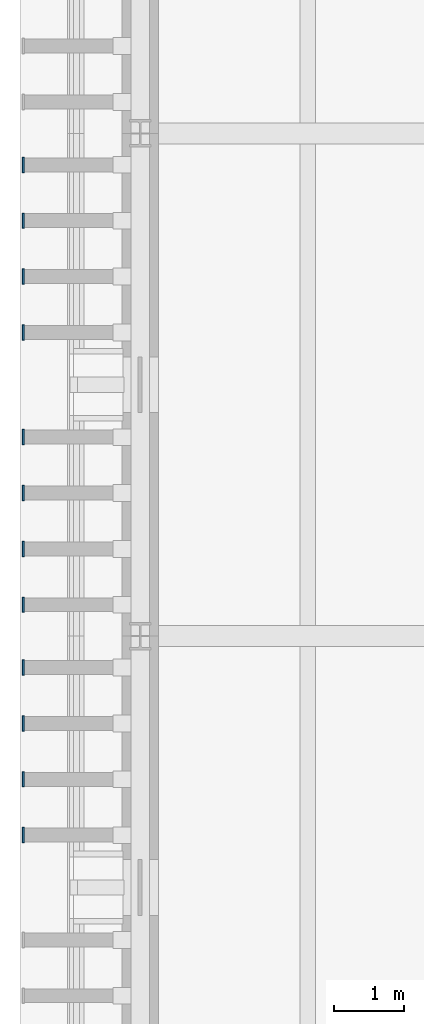
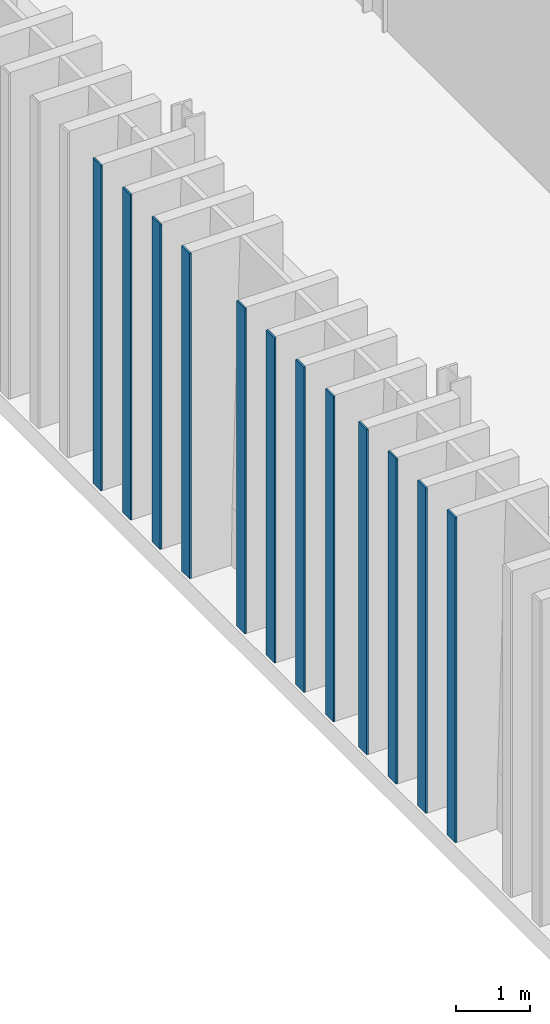
# One storey, part 54 of 120: 12 plates.
"""IFC4 building model written with IfcOpenShell, lengths in metres."""

from ifc_helpers import new_model, si_unit, direction, frame, origin, origin_2d, place, context, subcontext, project, spatial, rectangle, extrude, material, layer, layer_set, type_object, element, save


model = new_model("IFC4")

# Units and contexts
model_context = context("Model", 3, precision=1e-05, world=origin(), true_north=direction((0.0, 1.0)))
body_context = subcontext(model_context, "Body", "Model", "MODEL_VIEW")
ifc_project = project(units=[si_unit("LENGTHUNIT", "METRE"), si_unit("AREAUNIT", "SQUARE_METRE"), si_unit("VOLUMEUNIT", "CUBIC_METRE"), si_unit("PLANEANGLEUNIT", "RADIAN"), si_unit("MASSUNIT", "GRAM", prefix="KILO")], contexts=[model_context])

# Site, building, storey
site_placement = place(None, origin())
site = spatial("IfcSite", under=ifc_project, at=site_placement, CompositionType="ELEMENT")
building_placement = place(site_placement, origin())
building = spatial("IfcBuilding", under=site, at=building_placement, Name="Narikvali Park Central Library", CompositionType="ELEMENT")
storey_placement = place(building_placement, origin())
storey = spatial("IfcBuildingStorey", under=building, at=storey_placement, Name="L00", CompositionType="ELEMENT", Elevation=0.0)

# Plates
ifc_material = material(Name="Anodised Bronze Aluminium", Category="aluminium")
ifc_layer = layer(ifc_material, 0.028076171875, Name="Anodised Bronze Aluminium")
ifc_layer_set = layer_set([ifc_layer], Name="Anodised Bronze Aluminium")
plate_type = type_object("IfcPlateType", Name="Vertical Brick Fin Bronze Bullnose Cap 28", PredefinedType="SHEET", material=ifc_layer_set)
for number, where, z_axis, x_axis, name in (
    (1, (-1.672119140625, 69.14990234375, 0.010009765625), (0.0, 0.0, 1.0), (1.0, 0.0, 0.0), "West Stacks Fin Bullnose Trim 241"),
    (2, (-1.672119140625, 69.949951171875, 0.010009765625), (0.0, 0.0, 1.0), (1.0, 0.0, 0.0), "West Stacks Fin Bullnose Trim 247"),
    (3, (-1.672119140625, 70.75, 0.010009765625), (0.0, 0.0, 1.0), (1.0, 0.0, 0.0), "West Stacks Fin Bullnose Trim 253"),
    (4, (-1.672119140625, 71.550048828125, 0.010009765625), (0.0, 0.0, 1.0), (1.0, 0.0, 0.0), "West Stacks Fin Bullnose Trim 259"),
    (5, (-1.672119140625, 72.449951171875, 0.010009765625), (0.0, 0.0, 1.0), (1.0, 0.0, 0.0), "West Stacks Fin Bullnose Trim 265"),
    (6, (-1.672119140625, 73.25, 0.010009765625), (0.0, 0.0, 1.0), (1.0, 0.0, 0.0), "West Stacks Fin Bullnose Trim 271"),
    (7, (-1.672119140625, 74.050048828125, 0.010009765625), (0.0, 0.0, 1.0), (1.0, 0.0, 0.0), "West Stacks Fin Bullnose Trim 277"),
    (8, (-1.672119140625, 74.85009765625, 0.010009765625), (0.0, 0.0, 1.0), (1.0, 0.0, 0.0), "West Stacks Fin Bullnose Trim 283"),
    (9, (-1.672119140625, 76.35009765625, 0.010009765625), (0.0, 0.0, 1.0), (1.0, 0.0, 0.0), "West Stacks Fin Bullnose Trim 289"),
    (10, (-1.672119140625, 77.14990234375, 0.010009765625), (0.0, 0.0, 1.0), (1.0, 0.0, 0.0), "West Stacks Fin Bullnose Trim 295"),
    (11, (-1.672119140625, 77.949951171875, 0.010009765625), (0.0, 0.0, 1.0), (1.0, 0.0, 0.0), "West Stacks Fin Bullnose Trim 301"),
    (12, (-1.672119140625, 78.75, 0.010009765625), (0.0, 0.0, 1.0), (1.0, 0.0, 0.0), "West Stacks Fin Bullnose Trim 307"),
):
    element("IfcPlate", number, at=place(storey_placement, frame(where, z_axis=z_axis, x_axis=x_axis)), inside=storey, type_object=plate_type, Name=name, PredefinedType="SHEET", context=body_context, shape_type="SweptSolid", body=[
        extrude(rectangle(XDim=0.028076171875, YDim=0.219970703125, at=origin_2d()), origin(), (0.0, 0.0, 1.0), 5.3798828125),
    ])

save(model, "model.ifc")
